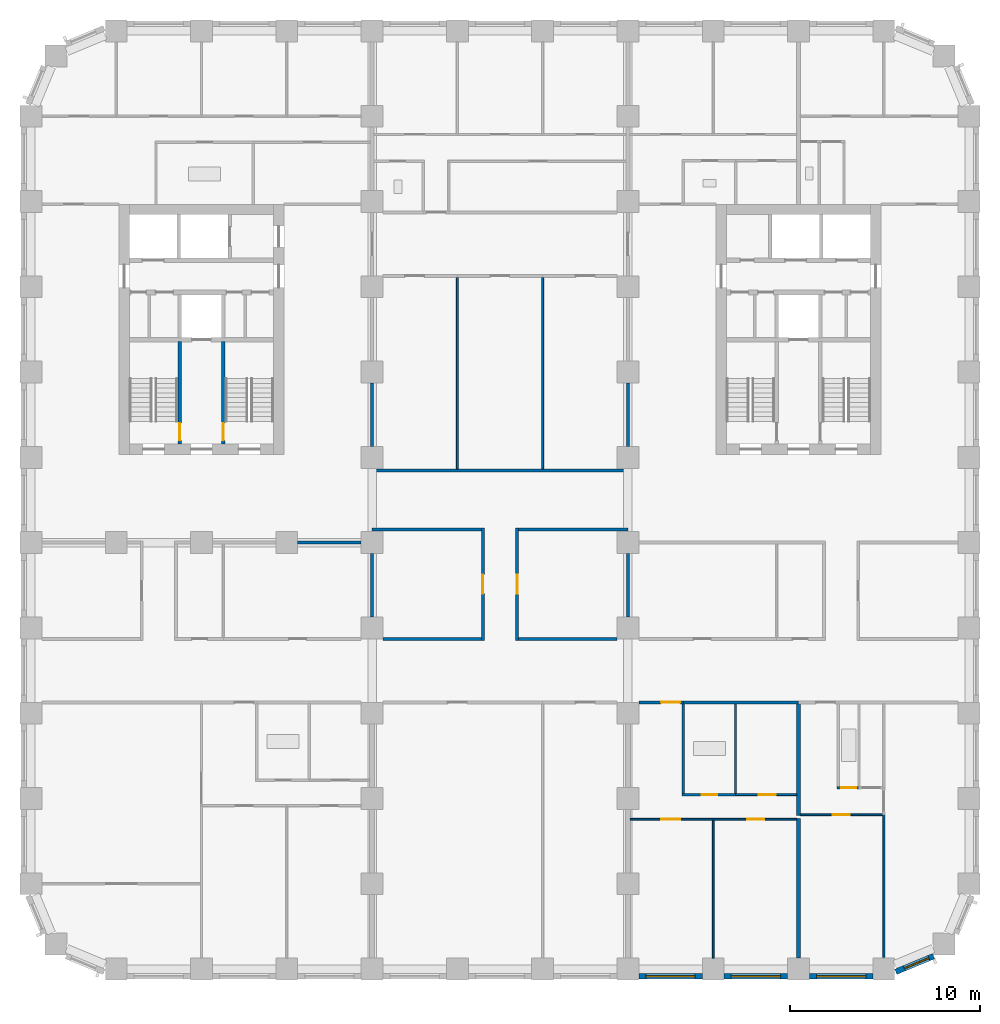
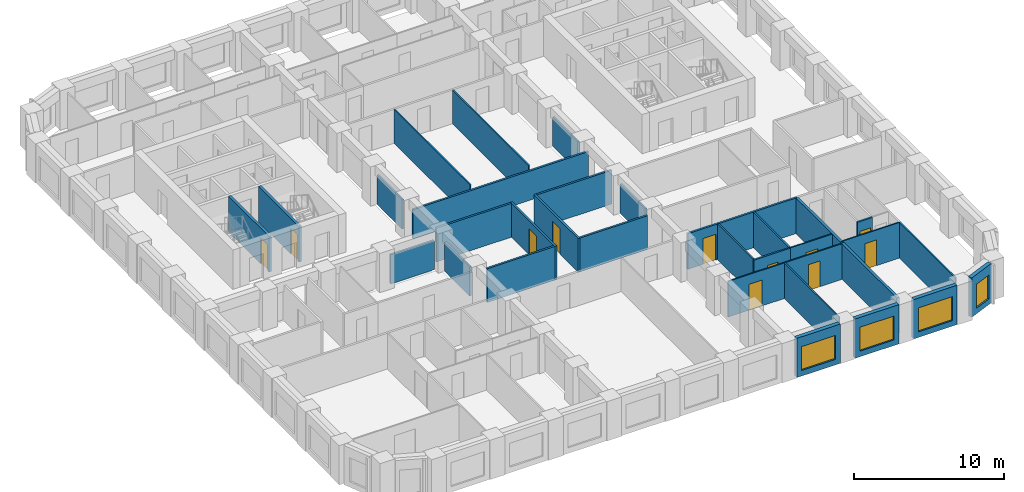
# One storey, part 4 of 13: 34 walls, 11 doors, 4 windows, 15 openings.
"""IFC4 building model written with IfcOpenShell, lengths in metres."""

from ifc_helpers import new_model, si_unit, direction, frame, frame_2d, origin, place, context, subcontext, project, spatial, rectangle, extrude, material, layer, layer_set, type_object, element, fill, save


model = new_model("IFC4")

# Units and contexts
model_context = context("Model", 3, precision=1e-05, world=origin(), true_north=direction((0.0, 1.0)))
body_context = subcontext(model_context, "Body", "Model", "MODEL_VIEW")
ifc_project = project(units=[si_unit("LENGTHUNIT", "METRE"), si_unit("AREAUNIT", "SQUARE_METRE"), si_unit("VOLUMEUNIT", "CUBIC_METRE"), si_unit("PLANEANGLEUNIT", "RADIAN"), si_unit("MASSUNIT", "GRAM", prefix="KILO")], contexts=[model_context])

# Site, building, storey
site_placement = place(None, origin())
site = spatial("IfcSite", under=ifc_project, at=site_placement, CompositionType="ELEMENT")
building_placement = place(site_placement, origin())
building = spatial("IfcBuilding", under=site, at=building_placement, Name="Girih Gate Residences", CompositionType="ELEMENT")
storey_placement = place(building_placement, frame((0.0, 0.0, 96.0)))
storey = spatial("IfcBuildingStorey", under=building, at=storey_placement, Name="L26", CompositionType="ELEMENT", Elevation=96.0)

# Wall
ifc_material_1 = material(Name="Gypsum board on steel studs", Category="steel")
ifc_layer_1 = layer(ifc_material_1, 0.14990234375)
ifc_layer_set_1 = layer_set([ifc_layer_1], Name="Compartment wall 150 mm")
wall_type_1 = type_object("IfcWallType", Name="Compartment wall 150 mm", PredefinedType="PARTITIONING", material=ifc_layer_set_1)
wall_1_placement = place(storey_placement, frame((34.425048828125, 14.074951171875, 0.0), z_axis=(0.0, 0.0, 1.0), x_axis=(1.0, 0.0, 0.0)))
element("IfcWall", 1, at=wall_1_placement, inside=storey, type_object=wall_type_1, Name="L26 partition", PredefinedType="PARTITIONING", context=body_context, shape_type="SweptSolid", body=[
    extrude(rectangle(XDim=6.074951171875, YDim=0.14990234375, at=frame_2d((3.03759765625, 0.0))), origin(), (0.0, 0.0, 1.0), 2.89990234375),
])

# Wall, opening, door
wall_2_placement = place(storey_placement, frame((34.425048828125, 14.074951171875, 0.0), z_axis=(0.0, 0.0, 1.0), x_axis=(-1.0, 0.0, 0.0)))
wall_2 = element("IfcWall", 2, at=wall_2_placement, inside=storey, type_object=wall_type_1, Name="L26 partition", PredefinedType="PARTITIONING", context=body_context, shape_type="SweptSolid", body=[
    extrude(rectangle(XDim=2.35009765625, YDim=0.14990234375, at=frame_2d((1.175048828125, 0.0))), origin(), (0.0, 0.0, 1.0), 2.89990234375),
])
opening_1_placement = place(wall_2_placement, frame((0.175048828125, 0.0, 0.0)))
opening_1 = element("IfcOpeningElement", 3, at=opening_1_placement, cuts=wall_2, Name="Opening A26-024", PredefinedType="OPENING", context=body_context, shape_type="SweptSolid", body=[
    extrude(rectangle(XDim=1.0, YDim=2.10009765625, at=frame_2d((0.5, 1.050048828125))), frame((0.0, 0.0849609375, 0.0), z_axis=(0.0, -1.0, 0.0), x_axis=(1.0, 0.0, 0.0)), (0.0, 0.0, 1.0), 0.169921875),
])
ifc_material_2 = material(Name="Timber, fire-rated core", Category="wood")
door_type_1 = type_object("IfcDoorType", Name="Flat entrance door 1000x2100 FD30S", OperationType="NOTDEFINED", PredefinedType="DOOR", material=ifc_material_2)
door_1_placement = place(opening_1_placement, origin())
door_1 = element("IfcDoor", 4, at=door_1_placement, inside=storey, type_object=door_type_1, Name="Door A26-024", OperationType="SINGLE_SWING_LEFT", OverallHeight=2.10009765625, OverallWidth=1.0, PredefinedType="DOOR", context=body_context, shape_type="SweptSolid", body=[
    extrude(rectangle(XDim=1.0, YDim=2.10009765625, at=frame_2d((0.5, 1.050048828125))), frame((0.0, 0.02490234375, 0.0), z_axis=(0.0, -1.0, 0.0), x_axis=(1.0, 0.0, 0.0)), (0.0, 0.0, 1.0), 0.050048828125),
])
fill(opening_1, door_1)

wall_3_placement = place(storey_placement, frame((23.85009765625, 17.35009765625, 0.0), z_axis=(0.0, 0.0, 1.0), x_axis=(0.0, 1.0, 0.0)))
wall_3 = element("IfcWall", 5, at=wall_3_placement, inside=storey, type_object=wall_type_1, Name="L26 partition", PredefinedType="PARTITIONING", context=body_context, shape_type="SweptSolid", body=[
    extrude(rectangle(XDim=5.9248046875, YDim=0.14990234375, at=frame_2d((2.96240234375, 0.0))), origin(), (0.0, 0.0, 1.0), 2.75),
])
opening_2_placement = place(wall_3_placement, frame((2.46240234375, 0.0, 0.0)))
opening_2 = element("IfcOpeningElement", 6, at=opening_2_placement, cuts=wall_3, Name="Opening A26-048", PredefinedType="OPENING", context=body_context, shape_type="SweptSolid", body=[
    extrude(rectangle(XDim=1.0, YDim=2.10009765625, at=frame_2d((0.5, 1.050048828125))), frame((0.0, 0.0849609375, 0.0), z_axis=(0.0, -1.0, 0.0), x_axis=(1.0, 0.0, 0.0)), (0.0, 0.0, 1.0), 0.169921875),
])
door_type_2 = type_object("IfcDoorType", Name="Amenity room door 1000x2100 FD30S", OperationType="NOTDEFINED", PredefinedType="DOOR", material=ifc_material_2)
door_2_placement = place(opening_2_placement, origin())
door_2 = element("IfcDoor", 7, at=door_2_placement, inside=storey, type_object=door_type_2, Name="Door A26-048", OperationType="SINGLE_SWING_RIGHT", OverallHeight=2.10009765625, OverallWidth=1.0, PredefinedType="DOOR", context=body_context, shape_type="SweptSolid", body=[
    extrude(rectangle(XDim=1.0, YDim=2.10009765625, at=frame_2d((0.5, 1.050048828125))), frame((0.0, 0.02490234375, 0.0), z_axis=(0.0, -1.0, 0.0), x_axis=(1.0, 0.0, 0.0)), (0.0, 0.0, 1.0), 0.050048828125),
])
fill(opening_2, door_2)

wall_4_placement = place(storey_placement, frame((25.64990234375, 23.27490234375, 0.0), z_axis=(0.0, 0.0, 1.0), x_axis=(0.0, -1.0, 0.0)))
wall_4 = element("IfcWall", 8, at=wall_4_placement, inside=storey, type_object=wall_type_1, Name="L26 partition", PredefinedType="PARTITIONING", context=body_context, shape_type="SweptSolid", body=[
    extrude(rectangle(XDim=5.9248046875, YDim=0.14990234375, at=frame_2d((2.96240234375, 0.0))), origin(), (0.0, 0.0, 1.0), 2.75),
])
opening_3_placement = place(wall_4_placement, frame((2.46240234375, 0.0, 0.0)))
opening_3 = element("IfcOpeningElement", 9, at=opening_3_placement, cuts=wall_4, Name="Opening A26-049", PredefinedType="OPENING", context=body_context, shape_type="SweptSolid", body=[
    extrude(rectangle(XDim=1.0, YDim=2.10009765625, at=frame_2d((0.5, 1.050048828125))), frame((0.0, 0.0849609375, 0.0), z_axis=(0.0, -1.0, 0.0), x_axis=(1.0, 0.0, 0.0)), (0.0, 0.0, 1.0), 0.169921875),
])
door_3_placement = place(opening_3_placement, origin())
door_3 = element("IfcDoor", 10, at=door_3_placement, inside=storey, type_object=door_type_2, Name="Door A26-049", OperationType="SINGLE_SWING_RIGHT", OverallHeight=2.10009765625, OverallWidth=1.0, PredefinedType="DOOR", context=body_context, shape_type="SweptSolid", body=[
    extrude(rectangle(XDim=1.0, YDim=2.10009765625, at=frame_2d((0.5, 1.050048828125))), frame((0.0, 0.02490234375, 0.0), z_axis=(0.0, -1.0, 0.0), x_axis=(1.0, 0.0, 0.0)), (0.0, 0.0, 1.0), 0.050048828125),
])
fill(opening_3, door_3)

# Walls
for number, where, z_axis, x_axis, name in (
    (11, (18.574951171875, 17.425048828125, 0.0), (0.0, 0.0, 1.0), (1.0, 0.0, 0.0), "L26 partition"),
    (12, (25.72509765625, 17.425048828125, 0.0), (0.0, 0.0, 1.0), (1.0, 0.0, 0.0), "L26 partition"),
):
    element("IfcWall", number, at=place(storey_placement, frame(where, z_axis=z_axis, x_axis=x_axis)), inside=storey, type_object=wall_type_1, Name=name, PredefinedType="PARTITIONING", context=body_context, shape_type="SweptSolid", body=[
        extrude(rectangle(XDim=5.199951171875, YDim=0.14990234375, at=frame_2d((2.60009765625, 0.0))), origin(), (0.0, 0.0, 1.0), 2.75),
    ])
wall_5_placement = place(storey_placement, frame((18.0, 27.574951171875, 0.0), z_axis=(0.0, 0.0, 1.0), x_axis=(0.0, 1.0, 0.0)))
element("IfcWall", 13, at=wall_5_placement, inside=storey, type_object=wall_type_1, Name="L26 partition", PredefinedType="PARTITIONING", context=body_context, shape_type="SweptSolid", body=[
    extrude(rectangle(XDim=3.35009765625, YDim=0.14990234375, at=frame_2d((1.675048828125, 0.0))), origin(), (0.0, 0.0, 1.0), 2.3798828125),
])
wall_6_placement = place(storey_placement, frame((18.0, 26.300048828125, 0.0), z_axis=(0.0, 0.0, 1.0), x_axis=(1.0, 0.0, 0.0)))
element("IfcWall", 14, at=wall_6_placement, inside=storey, type_object=wall_type_1, Name="L26 partition", PredefinedType="PARTITIONING", context=body_context, shape_type="SweptSolid", body=[
    extrude(rectangle(XDim=13.5, YDim=0.14990234375, at=frame_2d((6.75, 0.0))), origin(), (0.0, 0.0, 1.0), 2.3798828125),
])
wall_7_placement = place(storey_placement, frame((31.5, 27.574951171875, 0.0), z_axis=(0.0, 0.0, 1.0), x_axis=(0.0, 1.0, 0.0)))
element("IfcWall", 15, at=wall_7_placement, inside=storey, type_object=wall_type_1, Name="L26 partition", PredefinedType="PARTITIONING", context=body_context, shape_type="SweptSolid", body=[
    extrude(rectangle(XDim=3.35009765625, YDim=0.14990234375, at=frame_2d((1.675048828125, 0.0))), origin(), (0.0, 0.0, 1.0), 2.3798828125),
])
wall_8_placement = place(storey_placement, frame((18.0, 23.199951171875, 0.0), z_axis=(0.0, 0.0, 1.0), x_axis=(1.0, 0.0, 0.0)))
element("IfcWall", 16, at=wall_8_placement, inside=storey, type_object=wall_type_1, Name="L26 partition", PredefinedType="PARTITIONING", context=body_context, shape_type="SweptSolid", body=[
    extrude(rectangle(XDim=5.77490234375, YDim=0.14990234375, at=frame_2d((2.887451171875, 0.0))), origin(), (0.0, 0.0, 1.0), 2.75),
])
wall_9_placement = place(storey_placement, frame((18.0, 18.574951171875, 0.0), z_axis=(0.0, 0.0, 1.0), x_axis=(0.0, 1.0, 0.0)))
element("IfcWall", 17, at=wall_9_placement, inside=storey, type_object=wall_type_1, Name="L26 partition", PredefinedType="PARTITIONING", context=body_context, shape_type="SweptSolid", body=[
    extrude(rectangle(XDim=3.35009765625, YDim=0.14990234375, at=frame_2d((1.675048828125, 0.0))), origin(), (0.0, 0.0, 1.0), 2.3798828125),
])
wall_10_placement = place(storey_placement, frame((25.72509765625, 23.199951171875, 0.0), z_axis=(0.0, 0.0, 1.0), x_axis=(1.0, 0.0, 0.0)))
element("IfcWall", 18, at=wall_10_placement, inside=storey, type_object=wall_type_1, Name="L26 partition", PredefinedType="PARTITIONING", context=body_context, shape_type="SweptSolid", body=[
    extrude(rectangle(XDim=5.77490234375, YDim=0.14990234375, at=frame_2d((2.887451171875, 0.0))), origin(), (0.0, 0.0, 1.0), 2.75),
])
for number, where, z_axis, x_axis, name in (
    (19, (31.5, 18.574951171875, 0.0), (0.0, 0.0, 1.0), (0.0, 1.0, 0.0), "L26 partition"),
    (20, (14.074951171875, 22.5, 0.0), (0.0, 0.0, 1.0), (1.0, 0.0, 0.0), "L26 partition"),
):
    element("IfcWall", number, at=place(storey_placement, frame(where, z_axis=z_axis, x_axis=x_axis)), inside=storey, type_object=wall_type_1, Name=name, PredefinedType="PARTITIONING", context=body_context, shape_type="SweptSolid", body=[
        extrude(rectangle(XDim=3.35009765625, YDim=0.14990234375, at=frame_2d((1.675048828125, 0.0))), origin(), (0.0, 0.0, 1.0), 2.3798828125),
    ])

# Wall, opening, door
ifc_layer_2 = layer(ifc_material_1, 0.10009765625)
ifc_layer_set_2 = layer_set([ifc_layer_2], Name="Partition 100 mm")
wall_type_2 = type_object("IfcWallType", Name="Partition 100 mm", PredefinedType="PARTITIONING", material=ifc_layer_set_2)
wall_11_placement = place(storey_placement, frame((44.949951171875, 8.14501953125, 0.0), z_axis=(0.0, 0.0, 1.0), x_axis=(-1.0, 0.0, 0.0)))
wall_11 = element("IfcWall", 21, at=wall_11_placement, inside=storey, type_object=wall_type_2, Name="L26 partition", PredefinedType="PARTITIONING", context=body_context, shape_type="SweptSolid", body=[
    extrude(rectangle(XDim=4.349853515625, YDim=0.10009765625, at=frame_2d((2.1748046875, 0.0))), origin(), (0.0, 0.0, 1.0), 2.89990234375),
])
opening_4_placement = place(wall_11_placement, frame((1.75, 0.0, 0.0)))
opening_4 = element("IfcOpeningElement", 22, at=opening_4_placement, cuts=wall_11, Name="Opening A26-016", PredefinedType="OPENING", context=body_context, shape_type="SweptSolid", body=[
    extrude(rectangle(XDim=0.89990234375, YDim=2.10009765625, at=frame_2d((0.449951171875, 1.050048828125))), frame((0.0, 0.06005859375, 0.0), z_axis=(0.0, -1.0, 0.0), x_axis=(1.0, 0.0, 0.0)), (0.0, 0.0, 1.0), 0.1201171875),
])
ifc_material_3 = material(Name="Timber", Category="wood")
door_type_3 = type_object("IfcDoorType", Name="Bedroom door 900x2100", OperationType="NOTDEFINED", PredefinedType="DOOR", material=ifc_material_3)
door_4_placement = place(opening_4_placement, origin())
door_4 = element("IfcDoor", 23, at=door_4_placement, inside=storey, type_object=door_type_3, Name="Door A26-016", OperationType="SINGLE_SWING_RIGHT", OverallHeight=2.10009765625, OverallWidth=0.89990234375, PredefinedType="DOOR", context=body_context, shape_type="SweptSolid", body=[
    extrude(rectangle(XDim=0.89990234375, YDim=2.10009765625, at=frame_2d((0.449951171875, 1.050048828125))), frame((0.0, 0.02490234375, 0.0), z_axis=(0.0, -1.0, 0.0), x_axis=(1.0, 0.0, 0.0)), (0.0, 0.0, 1.0), 0.050048828125),
])
fill(opening_4, door_4)

# Wall
wall_12_placement = place(storey_placement, frame((45.0, 0.622314453125, 0.0), z_axis=(0.0, 0.0, 1.0), x_axis=(0.0, 1.0, 0.0)))
element("IfcWall", 24, at=wall_12_placement, inside=storey, type_object=wall_type_2, Name="L26 partition", PredefinedType="PARTITIONING", context=body_context, shape_type="SweptSolid", body=[
    extrude(rectangle(XDim=7.522705078125, YDim=0.10009765625, at=frame_2d((3.76123046875, 0.0))), origin(), (0.0, 0.0, 1.0), 2.89990234375),
])

# Wall, opening, door
wall_13_placement = place(storey_placement, frame((40.39990234375, 7.905029296875, 0.0), z_axis=(0.0, 0.0, 1.0), x_axis=(-1.0, 0.0, 0.0)))
wall_13 = element("IfcWall", 25, at=wall_13_placement, inside=storey, type_object=wall_type_2, Name="L26 partition", PredefinedType="PARTITIONING", context=body_context, shape_type="SweptSolid", body=[
    extrude(rectangle(XDim=4.39990234375, YDim=0.10009765625, at=frame_2d((2.199951171875, 0.0))), origin(), (0.0, 0.0, 1.0), 2.89990234375),
])
opening_5_placement = place(wall_13_placement, frame((1.699951171875, 0.0, 0.0)))
opening_5 = element("IfcOpeningElement", 26, at=opening_5_placement, cuts=wall_13, Name="Opening A26-021", PredefinedType="OPENING", context=body_context, shape_type="SweptSolid", body=[
    extrude(rectangle(XDim=0.89990234375, YDim=2.10009765625, at=frame_2d((0.449951171875, 1.050048828125))), frame((0.0, 0.06005859375, 0.0), z_axis=(0.0, -1.0, 0.0), x_axis=(1.0, 0.0, 0.0)), (0.0, 0.0, 1.0), 0.1201171875),
])
door_5_placement = place(opening_5_placement, origin())
door_5 = element("IfcDoor", 27, at=door_5_placement, inside=storey, type_object=door_type_3, Name="Door A26-021", OperationType="SINGLE_SWING_LEFT", OverallHeight=2.10009765625, OverallWidth=0.89990234375, PredefinedType="DOOR", context=body_context, shape_type="SweptSolid", body=[
    extrude(rectangle(XDim=0.89990234375, YDim=2.10009765625, at=frame_2d((0.449951171875, 1.050048828125))), frame((0.0, 0.02490234375, 0.0), z_axis=(0.0, -1.0, 0.0), x_axis=(1.0, 0.0, 0.0)), (0.0, 0.0, 1.0), 0.050048828125),
])
fill(opening_5, door_5)

# Wall
wall_14_placement = place(storey_placement, frame((36.0, 0.574951171875, 0.0), z_axis=(0.0, 0.0, 1.0), x_axis=(0.0, 1.0, 0.0)))
element("IfcWall", 28, at=wall_14_placement, inside=storey, type_object=wall_type_2, Name="L26 partition", PredefinedType="PARTITIONING", context=body_context, shape_type="SweptSolid", body=[
    extrude(rectangle(XDim=7.280029296875, YDim=0.10009765625, at=frame_2d((3.64013671875, 0.0))), origin(), (0.0, 0.0, 1.0), 2.89990234375),
])

# Wall, opening, door
wall_15_placement = place(storey_placement, frame((37.17822265625, 9.205078125, 0.0), z_axis=(0.0, 0.0, 1.0), x_axis=(1.0, 0.0, 0.0)))
wall_15 = element("IfcWall", 29, at=wall_15_placement, inside=storey, type_object=wall_type_2, Name="L26 partition", PredefinedType="PARTITIONING", context=body_context, shape_type="SweptSolid", body=[
    extrude(rectangle(XDim=3.2216796875, YDim=0.10009765625, at=frame_2d((1.61083984375, 0.0))), origin(), (0.0, 0.0, 1.0), 2.89990234375),
])
opening_6_placement = place(wall_15_placement, frame((1.2109375, 0.0, 0.0)))
opening_6 = element("IfcOpeningElement", 30, at=opening_6_placement, cuts=wall_15, Name="Opening A26-022", PredefinedType="OPENING", context=body_context, shape_type="SweptSolid", body=[
    extrude(rectangle(XDim=0.89990234375, YDim=2.10009765625, at=frame_2d((0.449951171875, 1.050048828125))), frame((0.0, 0.06005859375, 0.0), z_axis=(0.0, -1.0, 0.0), x_axis=(1.0, 0.0, 0.0)), (0.0, 0.0, 1.0), 0.1201171875),
])
door_type_4 = type_object("IfcDoorType", Name="Kitchen door 900x2100", OperationType="NOTDEFINED", PredefinedType="DOOR", material=ifc_material_3)
door_6_placement = place(opening_6_placement, origin())
door_6 = element("IfcDoor", 31, at=door_6_placement, inside=storey, type_object=door_type_4, Name="Door A26-022", OperationType="SINGLE_SWING_RIGHT", OverallHeight=2.10009765625, OverallWidth=0.89990234375, PredefinedType="DOOR", context=body_context, shape_type="SweptSolid", body=[
    extrude(rectangle(XDim=0.89990234375, YDim=2.10009765625, at=frame_2d((0.449951171875, 1.050048828125))), frame((0.0, 0.02490234375, 0.0), z_axis=(0.0, -1.0, 0.0), x_axis=(1.0, 0.0, 0.0)), (0.0, 0.0, 1.0), 0.050048828125),
])
fill(opening_6, door_6)

wall_16_placement = place(storey_placement, frame((36.0, 7.905029296875, 0.0), z_axis=(0.0, 0.0, 1.0), x_axis=(-1.0, 0.0, 0.0)))
wall_16 = element("IfcWall", 32, at=wall_16_placement, inside=storey, type_object=wall_type_2, Name="L26 partition", PredefinedType="PARTITIONING", context=body_context, shape_type="SweptSolid", body=[
    extrude(rectangle(XDim=4.375, YDim=0.10009765625, at=frame_2d((2.1875, 0.0))), origin(), (0.0, 0.0, 1.0), 2.89990234375),
])
opening_7_placement = place(wall_16_placement, frame((1.75, 0.0, 0.0)))
opening_7 = element("IfcOpeningElement", 33, at=opening_7_placement, cuts=wall_16, Name="Opening A26-023", PredefinedType="OPENING", context=body_context, shape_type="SweptSolid", body=[
    extrude(rectangle(XDim=1.0, YDim=2.10009765625, at=frame_2d((0.5, 1.050048828125))), frame((0.0, 0.06005859375, 0.0), z_axis=(0.0, -1.0, 0.0), x_axis=(1.0, 0.0, 0.0)), (0.0, 0.0, 1.0), 0.1201171875),
])
door_type_5 = type_object("IfcDoorType", Name="Living room door 1000x2100", OperationType="NOTDEFINED", PredefinedType="DOOR", material=ifc_material_3)
door_7_placement = place(opening_7_placement, origin())
door_7 = element("IfcDoor", 34, at=door_7_placement, inside=storey, type_object=door_type_5, Name="Door A26-023", OperationType="SINGLE_SWING_RIGHT", OverallHeight=2.10009765625, OverallWidth=1.0, PredefinedType="DOOR", context=body_context, shape_type="SweptSolid", body=[
    extrude(rectangle(XDim=1.0, YDim=2.10009765625, at=frame_2d((0.5, 1.050048828125))), frame((0.0, 0.02490234375, 0.0), z_axis=(0.0, -1.0, 0.0), x_axis=(1.0, 0.0, 0.0)), (0.0, 0.0, 1.0), 0.050048828125),
])
fill(opening_7, door_7)

# Walls
for number, where, z_axis, x_axis, name in (
    (35, (22.5, 26.375, 0.0), (0.0, 0.0, 1.0), (0.0, 1.0, 0.0), "L26 partition"),
    (36, (27.0, 26.375, 0.0), (0.0, 0.0, 1.0), (0.0, 1.0, 0.0), "L26 partition"),
):
    element("IfcWall", number, at=place(storey_placement, frame(where, z_axis=z_axis, x_axis=x_axis)), inside=storey, type_object=wall_type_2, Name=name, PredefinedType="PARTITIONING", context=body_context, shape_type="SweptSolid", body=[
        extrude(rectangle(XDim=10.125, YDim=0.10009765625, at=frame_2d((5.0625, 0.0))), origin(), (0.0, 0.0, 1.0), 2.75),
    ])
ifc_layer_3 = layer(ifc_material_1, 0.199951171875)
ifc_layer_set_3 = layer_set([ifc_layer_3], Name="Party wall 200 mm")
wall_type_3 = type_object("IfcWallType", Name="Party wall 200 mm", PredefinedType="PARTITIONING", material=ifc_layer_set_3)
wall_17_placement = place(storey_placement, frame((40.5, 0.574951171875, 0.0), z_axis=(0.0, 0.0, 1.0), x_axis=(0.0, 1.0, 0.0)))
element("IfcWall", 37, at=wall_17_placement, inside=storey, type_object=wall_type_3, Name="L26 partition", PredefinedType="PARTITIONING", context=body_context, shape_type="SweptSolid", body=[
    extrude(rectangle(XDim=7.380126953125, YDim=0.199951171875, at=frame_2d((3.68994140625, 0.0))), origin(), (0.0, 0.0, 1.0), 2.89990234375),
])
wall_18_placement = place(storey_placement, frame((40.5, 8.094970703125, 0.0), z_axis=(0.0, 0.0, 1.0), x_axis=(0.0, 1.0, 0.0)))
element("IfcWall", 38, at=wall_18_placement, inside=storey, type_object=wall_type_3, Name="L26 partition", PredefinedType="PARTITIONING", context=body_context, shape_type="SweptSolid", body=[
    extrude(rectangle(XDim=5.905029296875, YDim=0.199951171875, at=frame_2d((2.95263671875, 0.0))), origin(), (0.0, 0.0, 1.0), 2.89990234375),
])

# Wall, opening, window
ifc_material_4 = material(Name="Precast concrete C50/60", Category="concrete")
ifc_layer_4 = layer(ifc_material_4, 0.080078125, Name="Outer leaf")
ifc_material_5 = material(Name="Rigid PIR insulation")
ifc_layer_5 = layer(ifc_material_5, 0.14990234375, Name="Insulation")
ifc_material_6 = material(Name="Precast concrete C40/50", Category="concrete")
ifc_layer_6 = layer(ifc_material_6, 0.070068359375, Name="Inner leaf")
ifc_layer_set_4 = layer_set([ifc_layer_4, ifc_layer_5, ifc_layer_6], Name="Precast concrete C50/60 external wall 300")
wall_type_4 = type_object("IfcWallType", Name="Precast concrete C50/60 external wall 300", PredefinedType="SOLIDWALL", material=ifc_layer_set_4)
wall_19_placement = place(storey_placement, frame((35.425048828125, -0.375, 0.0), z_axis=(0.0, 0.0, 1.0), x_axis=(-1.0, 0.0, 0.0)))
wall_19 = element("IfcWall", 39, at=wall_19_placement, inside=storey, type_object=wall_type_4, Name="External wall S0045_0000.6", PredefinedType="SOLIDWALL", context=body_context, shape_type="SweptSolid", body=[
    extrude(rectangle(XDim=3.35009765625, YDim=0.300048828125, at=frame_2d((1.675048828125, 0.0))), origin(), (0.0, 0.0, 1.0), 3.199951171875),
])
opening_8_placement = place(wall_19_placement, frame((0.375, 0.0, 0.449951171875)))
opening_8 = element("IfcOpeningElement", 40, at=opening_8_placement, cuts=wall_19, Name="Opening W-1A", PredefinedType="OPENING", context=body_context, shape_type="SweptSolid", body=[
    extrude(rectangle(XDim=2.60009765625, YDim=1.949951171875, at=frame_2d((1.300048828125, 0.97509765625))), frame((0.0, 0.159912109375, 0.0), z_axis=(0.0, -1.0, 0.0), x_axis=(1.0, 0.0, 0.0)), (0.0, 0.0, 1.0), 0.320068359375),
])
ifc_material_7 = material(Name="Double glazing in aluminium frame", Category="aluminium")
window_type_1 = type_object("IfcWindowType", Name="Window W-1A 2600x1950", PartitioningType="SINGLE_PANEL", PredefinedType="WINDOW", material=ifc_material_7)
window_1_placement = place(opening_8_placement, origin())
window_1 = element("IfcWindow", 41, at=window_1_placement, inside=storey, type_object=window_type_1, Name="Window W-1A S0045_0000.6", OverallHeight=1.949951171875, OverallWidth=2.60009765625, PartitioningType="SINGLE_PANEL", PredefinedType="WINDOW", context=body_context, shape_type="SweptSolid", body=[
    extrude(rectangle(XDim=2.60009765625, YDim=1.949951171875, at=frame_2d((1.300048828125, 0.97509765625))), frame((0.0, 0.030029296875, 0.0), z_axis=(0.0, -1.0, 0.0), x_axis=(1.0, 0.0, 0.0)), (0.0, 0.0, 1.0), 0.06005859375),
])
fill(opening_8, window_1)

wall_20_placement = place(storey_placement, frame((39.925048828125, -0.375, 0.0), z_axis=(0.0, 0.0, 1.0), x_axis=(-1.0, 0.0, 0.0)))
wall_20 = element("IfcWall", 42, at=wall_20_placement, inside=storey, type_object=wall_type_4, Name="External wall S0045_0000.7", PredefinedType="SOLIDWALL", context=body_context, shape_type="SweptSolid", body=[
    extrude(rectangle(XDim=3.35009765625, YDim=0.300048828125, at=frame_2d((1.675048828125, 0.0))), origin(), (0.0, 0.0, 1.0), 3.199951171875),
])
opening_9_placement = place(wall_20_placement, frame((0.375, 0.0, 0.449951171875)))
opening_9 = element("IfcOpeningElement", 43, at=opening_9_placement, cuts=wall_20, Name="Opening W-1A", PredefinedType="OPENING", context=body_context, shape_type="SweptSolid", body=[
    extrude(rectangle(XDim=2.60009765625, YDim=1.949951171875, at=frame_2d((1.300048828125, 0.97509765625))), frame((0.0, 0.159912109375, 0.0), z_axis=(0.0, -1.0, 0.0), x_axis=(1.0, 0.0, 0.0)), (0.0, 0.0, 1.0), 0.320068359375),
])
window_2_placement = place(opening_9_placement, origin())
window_2 = element("IfcWindow", 44, at=window_2_placement, inside=storey, type_object=window_type_1, Name="Window W-1A S0045_0000.7", OverallHeight=1.949951171875, OverallWidth=2.60009765625, PartitioningType="SINGLE_PANEL", PredefinedType="WINDOW", context=body_context, shape_type="SweptSolid", body=[
    extrude(rectangle(XDim=2.60009765625, YDim=1.949951171875, at=frame_2d((1.300048828125, 0.97509765625))), frame((0.0, 0.030029296875, 0.0), z_axis=(0.0, -1.0, 0.0), x_axis=(1.0, 0.0, 0.0)), (0.0, 0.0, 1.0), 0.06005859375),
])
fill(opening_9, window_2)

wall_21_placement = place(storey_placement, frame((44.425048828125, -0.375, 0.0), z_axis=(0.0, 0.0, 1.0), x_axis=(-1.0, 0.0, 0.0)))
wall_21 = element("IfcWall", 45, at=wall_21_placement, inside=storey, type_object=wall_type_4, Name="External wall S0045_0000.8", PredefinedType="SOLIDWALL", context=body_context, shape_type="SweptSolid", body=[
    extrude(rectangle(XDim=3.35009765625, YDim=0.300048828125, at=frame_2d((1.675048828125, 0.0))), origin(), (0.0, 0.0, 1.0), 3.199951171875),
])
opening_10_placement = place(wall_21_placement, frame((0.375, 0.0, 0.449951171875)))
opening_10 = element("IfcOpeningElement", 46, at=opening_10_placement, cuts=wall_21, Name="Opening W-1A", PredefinedType="OPENING", context=body_context, shape_type="SweptSolid", body=[
    extrude(rectangle(XDim=2.60009765625, YDim=1.949951171875, at=frame_2d((1.300048828125, 0.97509765625))), frame((0.0, 0.159912109375, 0.0), z_axis=(0.0, -1.0, 0.0), x_axis=(1.0, 0.0, 0.0)), (0.0, 0.0, 1.0), 0.320068359375),
])
window_3_placement = place(opening_10_placement, origin())
window_3 = element("IfcWindow", 47, at=window_3_placement, inside=storey, type_object=window_type_1, Name="Window W-1A S0045_0000.8", OverallHeight=1.949951171875, OverallWidth=2.60009765625, PartitioningType="SINGLE_PANEL", PredefinedType="WINDOW", context=body_context, shape_type="SweptSolid", body=[
    extrude(rectangle(XDim=2.60009765625, YDim=1.949951171875, at=frame_2d((1.300048828125, 0.97509765625))), frame((0.0, 0.030029296875, 0.0), z_axis=(0.0, -1.0, 0.0), x_axis=(1.0, 0.0, 0.0)), (0.0, 0.0, 1.0), 0.06005859375),
])
fill(opening_10, window_3)

wall_22_placement = place(storey_placement, frame((47.63134765625, 0.68408203125, 0.0), z_axis=(0.0, 0.0, 1.0), x_axis=(-0.923862802911, -0.382723818695, 0.0)))
wall_22 = element("IfcWall", 48, at=wall_22_placement, inside=storey, type_object=wall_type_4, Name="External wall SE0450_0000.0", PredefinedType="SOLIDWALL", context=body_context, shape_type="SweptSolid", body=[
    extrude(rectangle(XDim=2.163818359375, YDim=0.300048828125, at=frame_2d((1.08203125, 0.0))), origin(), (0.0, 0.0, 1.0), 3.199951171875),
])
opening_11_placement = place(wall_22_placement, frame((0.270751953125, 0.0, 0.449951171875)))
opening_11 = element("IfcOpeningElement", 49, at=opening_11_placement, cuts=wall_22, Name="Opening W-2D", PredefinedType="OPENING", context=body_context, shape_type="SweptSolid", body=[
    extrude(rectangle(XDim=1.39990234375, YDim=1.949951171875, at=frame_2d((0.699951171875, 0.97509765625))), frame((0.0, 0.159912109375, 0.0), z_axis=(0.0, -1.0, 0.0), x_axis=(1.0, 0.0, 0.0)), (0.0, 0.0, 1.0), 0.320068359375),
])
window_type_2 = type_object("IfcWindowType", Name="Window W-2D 1400x1950", PartitioningType="SINGLE_PANEL", PredefinedType="WINDOW", material=ifc_material_7)
window_4_placement = place(opening_11_placement, origin())
window_4 = element("IfcWindow", 50, at=window_4_placement, inside=storey, type_object=window_type_2, Name="Window W-2D SE0450_0000.0", OverallHeight=1.949951171875, OverallWidth=1.39990234375, PartitioningType="SINGLE_PANEL", PredefinedType="WINDOW", context=body_context, shape_type="SweptSolid", body=[
    extrude(rectangle(XDim=1.39990234375, YDim=1.949951171875, at=frame_2d((0.699951171875, 0.97509765625))), frame((0.0, 0.030029296875, 0.0), z_axis=(0.0, -1.0, 0.0), x_axis=(1.0, 0.0, 0.0)), (0.0, 0.0, 1.0), 0.06005859375),
])
fill(opening_11, window_4)

# Wall, opening, door
ifc_material_8 = material(Name="Concrete C40/50", Category="concrete")
ifc_layer_7 = layer(ifc_material_8, 0.199951171875)
ifc_layer_set_5 = layer_set([ifc_layer_7], Name="Shaft wall 200")
wall_type_5 = type_object("IfcWallType", Name="Shaft wall 200", PredefinedType="SOLIDWALL", material=ifc_layer_set_5)
wall_23_placement = place(storey_placement, frame((7.85009765625, 27.699951171875, 0.0), z_axis=(0.0, 0.0, 1.0), x_axis=(0.0, 1.0, 0.0)))
wall_23 = element("IfcWall", 51, at=wall_23_placement, inside=storey, type_object=wall_type_5, Name="L26 W core wall V1a", PredefinedType="SOLIDWALL", context=body_context, shape_type="SweptSolid", body=[
    extrude(rectangle(XDim=5.400146484375, YDim=0.199951171875, at=frame_2d((2.7001953125, 0.0))), origin(), (0.0, 0.0, 1.0), 2.89990234375),
])
opening_12_placement = place(wall_23_placement, frame((0.199951171875, 0.0, 0.0)))
opening_12 = element("IfcOpeningElement", 52, at=opening_12_placement, cuts=wall_23, Name="Opening D-L26-W-001", PredefinedType="OPENING", context=body_context, shape_type="SweptSolid", body=[
    extrude(rectangle(XDim=0.89990234375, YDim=2.10009765625, at=frame_2d((0.449951171875, 1.050048828125))), frame((0.0, 0.10986328125, 0.0), z_axis=(0.0, -1.0, 0.0), x_axis=(1.0, 0.0, 0.0)), (0.0, 0.0, 1.0), 0.219970703125),
])
ifc_material_9 = material(Name="Painted steel, fire-resisting", Category="steel")
door_type_6 = type_object("IfcDoorType", Name="Fire door 900x2100", OperationType="SINGLE_SWING_LEFT", PredefinedType="DOOR", material=ifc_material_9)
door_8_placement = place(opening_12_placement, origin())
door_8 = element("IfcDoor", 53, at=door_8_placement, inside=storey, type_object=door_type_6, Name="L26 W door stair 1 to firefighting lobby", OperationType="SINGLE_SWING_LEFT", OverallHeight=2.10009765625, OverallWidth=0.89990234375, PredefinedType="DOOR", context=body_context, shape_type="SweptSolid", body=[
    extrude(rectangle(XDim=0.89990234375, YDim=2.10009765625, at=frame_2d((0.449951171875, 1.050048828125))), frame((0.0, 0.02490234375, 0.0), z_axis=(0.0, -1.0, 0.0), x_axis=(1.0, 0.0, 0.0)), (0.0, 0.0, 1.0), 0.050048828125),
])
fill(opening_12, door_8)

wall_24_placement = place(storey_placement, frame((10.14990234375, 27.699951171875, 0.0), z_axis=(0.0, 0.0, 1.0), x_axis=(0.0, 1.0, 0.0)))
wall_24 = element("IfcWall", 54, at=wall_24_placement, inside=storey, type_object=wall_type_5, Name="L26 W core wall V2a", PredefinedType="SOLIDWALL", context=body_context, shape_type="SweptSolid", body=[
    extrude(rectangle(XDim=5.400146484375, YDim=0.199951171875, at=frame_2d((2.7001953125, 0.0))), origin(), (0.0, 0.0, 1.0), 2.89990234375),
])
opening_13_placement = place(wall_24_placement, frame((0.199951171875, 0.0, 0.0)))
opening_13 = element("IfcOpeningElement", 55, at=opening_13_placement, cuts=wall_24, Name="Opening D-L26-W-002", PredefinedType="OPENING", context=body_context, shape_type="SweptSolid", body=[
    extrude(rectangle(XDim=0.89990234375, YDim=2.10009765625, at=frame_2d((0.449951171875, 1.050048828125))), frame((0.0, 0.10986328125, 0.0), z_axis=(0.0, -1.0, 0.0), x_axis=(1.0, 0.0, 0.0)), (0.0, 0.0, 1.0), 0.219970703125),
])
door_9_placement = place(opening_13_placement, origin())
door_9 = element("IfcDoor", 56, at=door_9_placement, inside=storey, type_object=door_type_6, Name="L26 W door stair 2 to firefighting lobby", OperationType="SINGLE_SWING_LEFT", OverallHeight=2.10009765625, OverallWidth=0.89990234375, PredefinedType="DOOR", context=body_context, shape_type="SweptSolid", body=[
    extrude(rectangle(XDim=0.89990234375, YDim=2.10009765625, at=frame_2d((0.449951171875, 1.050048828125))), frame((0.0, 0.02490234375, 0.0), z_axis=(0.0, -1.0, 0.0), x_axis=(1.0, 0.0, 0.0)), (0.0, 0.0, 1.0), 0.050048828125),
])
fill(opening_13, door_9)

ifc_layer_8 = layer(ifc_material_1, 0.125)
ifc_layer_set_6 = layer_set([ifc_layer_8], Name="Wet room wall 125 mm")
wall_type_6 = type_object("IfcWallType", Name="Wet room wall 125 mm", PredefinedType="PARTITIONING", material=ifc_layer_set_6)
wall_25_placement = place(storey_placement, frame((42.53759765625, 9.56494140625, 0.0), z_axis=(0.0, 0.0, 1.0), x_axis=(1.0, 0.0, 0.0)))
wall_25 = element("IfcWall", 57, at=wall_25_placement, inside=storey, type_object=wall_type_6, Name="L26 partition", PredefinedType="PARTITIONING", context=body_context, shape_type="SweptSolid", body=[
    extrude(rectangle(XDim=1.1533203125, YDim=0.125, at=frame_2d((0.57666015625, 0.0))), origin(), (0.0, 0.0, 1.0), 2.89990234375),
])
opening_14_placement = place(wall_25_placement, frame((0.2080078125, 0.0, 0.0)))
opening_14 = element("IfcOpeningElement", 58, at=opening_14_placement, cuts=wall_25, Name="Opening A26-015", PredefinedType="OPENING", context=body_context, shape_type="SweptSolid", body=[
    extrude(rectangle(XDim=0.800048828125, YDim=2.10009765625, at=frame_2d((0.39990234375, 1.050048828125))), frame((0.0, 0.072509765625, 0.0), z_axis=(0.0, -1.0, 0.0), x_axis=(1.0, 0.0, 0.0)), (0.0, 0.0, 1.0), 0.14501953125),
])
door_type_7 = type_object("IfcDoorType", Name="Bathroom door 800x2100", OperationType="NOTDEFINED", PredefinedType="DOOR", material=ifc_material_3)
door_10_placement = place(opening_14_placement, origin())
door_10 = element("IfcDoor", 59, at=door_10_placement, inside=storey, type_object=door_type_7, Name="Door A26-015", OperationType="SINGLE_SWING_RIGHT", OverallHeight=2.10009765625, OverallWidth=0.800048828125, PredefinedType="DOOR", context=body_context, shape_type="SweptSolid", body=[
    extrude(rectangle(XDim=0.800048828125, YDim=2.10009765625, at=frame_2d((0.39990234375, 1.050048828125))), frame((0.0, 0.02490234375, 0.0), z_axis=(0.0, -1.0, 0.0), x_axis=(1.0, 0.0, 0.0)), (0.0, 0.0, 1.0), 0.050048828125),
])
fill(opening_14, door_10)

wall_26_placement = place(storey_placement, frame((34.362548828125, 9.205078125, 0.0), z_axis=(0.0, 0.0, 1.0), x_axis=(1.0, 0.0, 0.0)))
wall_26 = element("IfcWall", 60, at=wall_26_placement, inside=storey, type_object=wall_type_6, Name="L26 partition", PredefinedType="PARTITIONING", context=body_context, shape_type="SweptSolid", body=[
    extrude(rectangle(XDim=2.815673828125, YDim=0.125, at=frame_2d((1.40771484375, 0.0))), origin(), (0.0, 0.0, 1.0), 2.89990234375),
])
opening_15_placement = place(wall_26_placement, frame((1.0390625, 0.0, 0.0)))
opening_15 = element("IfcOpeningElement", 61, at=opening_15_placement, cuts=wall_26, Name="Opening A26-020", PredefinedType="OPENING", context=body_context, shape_type="SweptSolid", body=[
    extrude(rectangle(XDim=0.800048828125, YDim=2.10009765625, at=frame_2d((0.39990234375, 1.050048828125))), frame((0.0, 0.072509765625, 0.0), z_axis=(0.0, -1.0, 0.0), x_axis=(1.0, 0.0, 0.0)), (0.0, 0.0, 1.0), 0.14501953125),
])
door_11_placement = place(opening_15_placement, origin())
door_11 = element("IfcDoor", 62, at=door_11_placement, inside=storey, type_object=door_type_7, Name="Door A26-020", OperationType="SINGLE_SWING_RIGHT", OverallHeight=2.10009765625, OverallWidth=0.800048828125, PredefinedType="DOOR", context=body_context, shape_type="SweptSolid", body=[
    extrude(rectangle(XDim=0.800048828125, YDim=2.10009765625, at=frame_2d((0.39990234375, 1.050048828125))), frame((0.0, 0.02490234375, 0.0), z_axis=(0.0, -1.0, 0.0), x_axis=(1.0, 0.0, 0.0)), (0.0, 0.0, 1.0), 0.050048828125),
])
fill(opening_15, door_11)

# Walls
for number, where, z_axis, x_axis, name in (
    (63, (34.425048828125, 9.267578125, 0.0), (0.0, 0.0, 1.0), (0.0, 1.0, 0.0), "L26 partition"),
    (64, (37.177978515625, 9.267578125, 0.0), (0.0, 0.0, 1.0), (0.0, 1.0, 0.0), "L26 partition"),
):
    element("IfcWall", number, at=place(storey_placement, frame(where, z_axis=z_axis, x_axis=x_axis)), inside=storey, type_object=wall_type_6, Name=name, PredefinedType="PARTITIONING", context=body_context, shape_type="SweptSolid", body=[
        extrude(rectangle(XDim=4.732421875, YDim=0.125, at=frame_2d((2.3662109375, 0.0))), origin(), (0.0, 0.0, 1.0), 2.89990234375),
    ])

save(model, "model.ifc")
